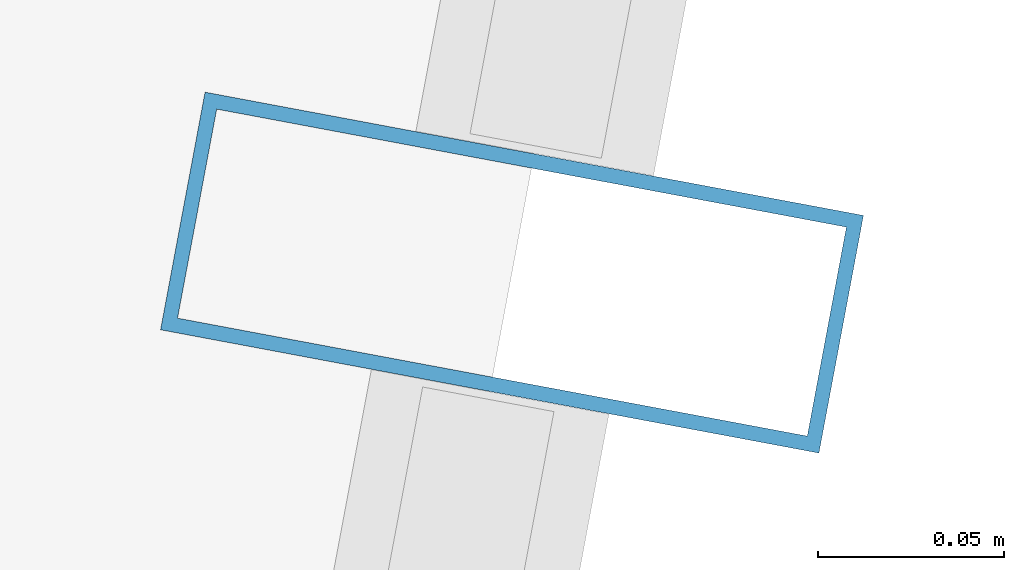
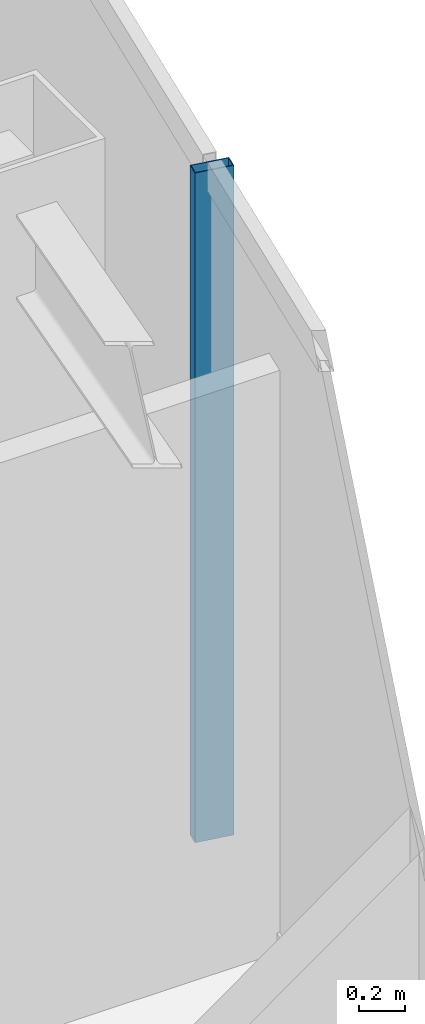
# One storey, part 15 of 23: 1 member, 1 element without a shape of its own.
"""IFC4 building model written with IfcOpenShell, lengths in metres."""

from ifc_helpers import new_model, si_unit, direction, frame, origin, origin_2d, place, context, subcontext, project, spatial, hollow_rectangle, extrude, material, material_profile, profile_set, type_object, element, aggregate, save


model = new_model("IFC4")

# Units and contexts
model_context = context("Model", 3, precision=1e-05, world=origin(), true_north=direction((0.0, 1.0)))
body_context = subcontext(model_context, "Body", "Model", "MODEL_VIEW")
ifc_project = project(units=[si_unit("LENGTHUNIT", "METRE"), si_unit("AREAUNIT", "SQUARE_METRE"), si_unit("VOLUMEUNIT", "CUBIC_METRE"), si_unit("PLANEANGLEUNIT", "RADIAN"), si_unit("MASSUNIT", "GRAM", prefix="KILO")], contexts=[model_context])

# Site, building, storey
site_placement = place(None, origin())
site = spatial("IfcSite", under=ifc_project, at=site_placement, CompositionType="ELEMENT")
building_placement = place(site_placement, origin())
building = spatial("IfcBuilding", under=site, at=building_placement, Name="Saevonmaru Cultural Tower", CompositionType="ELEMENT")
storey_placement = place(building_placement, frame((0.0, 0.0, 291.39990234375)))
storey = spatial("IfcBuildingStorey", under=building, at=storey_placement, Name="L69", CompositionType="ELEMENT", Elevation=291.39990234375)

# Curtain wall, member
ifc_material = material(Name="Satin Bronze Anodised Aluminium", Category="aluminium")
curtain_wall_type = type_object("IfcCurtainWallType", Name="CW-TYP-B", PredefinedType="NOTDEFINED", material=ifc_material)
curtain_wall_placement = place(storey_placement, origin())
curtain_wall = element("IfcCurtainWall", 1, at=curtain_wall_placement, inside=storey, type_object=curtain_wall_type, Name="L69 Unitised Curtain Wall E8", PredefinedType="NOTDEFINED")
ifc_material_profile = material_profile(ifc_material, hollow_rectangle(XDim=0.06494140625, YDim=0.179931640625, WallThickness=0.00390625, at=origin_2d()), Name="ALU-MULL-180x65x4")
ifc_profile_set = profile_set([ifc_material_profile], Name="Satin Bronze Anodised Aluminium")
member_type = type_object("IfcMemberType", Name="ML-CW-180x65", PredefinedType="MULLION", material=ifc_profile_set)
member_placement = place(storey_placement, frame((53.977783203125, 42.0, 0.0), z_axis=(0.0, 0.0, 1.0), x_axis=(0.184046528232, 0.982917532373, 0.0)))
member = element("IfcMember", 2, at=member_placement, type_object=member_type, Name="CW-TW-L69-E8 mullion 2", PredefinedType="MULLION", context=body_context, shape_type="SweptSolid", body=[
    extrude(hollow_rectangle(XDim=0.06494140625, YDim=0.179931640625, WallThickness=0.00390625, at=origin_2d()), origin(), (0.0, 0.0, 1.0), 3.550048828125),
])
aggregate(curtain_wall, [member])

save(model, "model.ifc")
